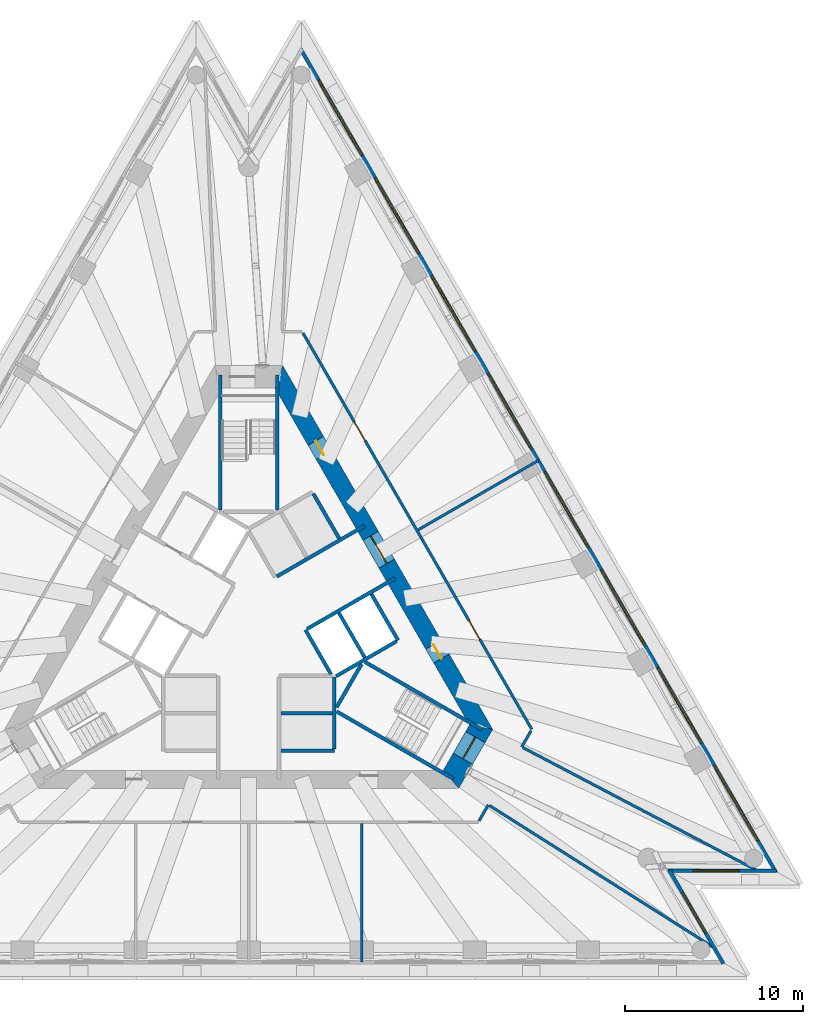
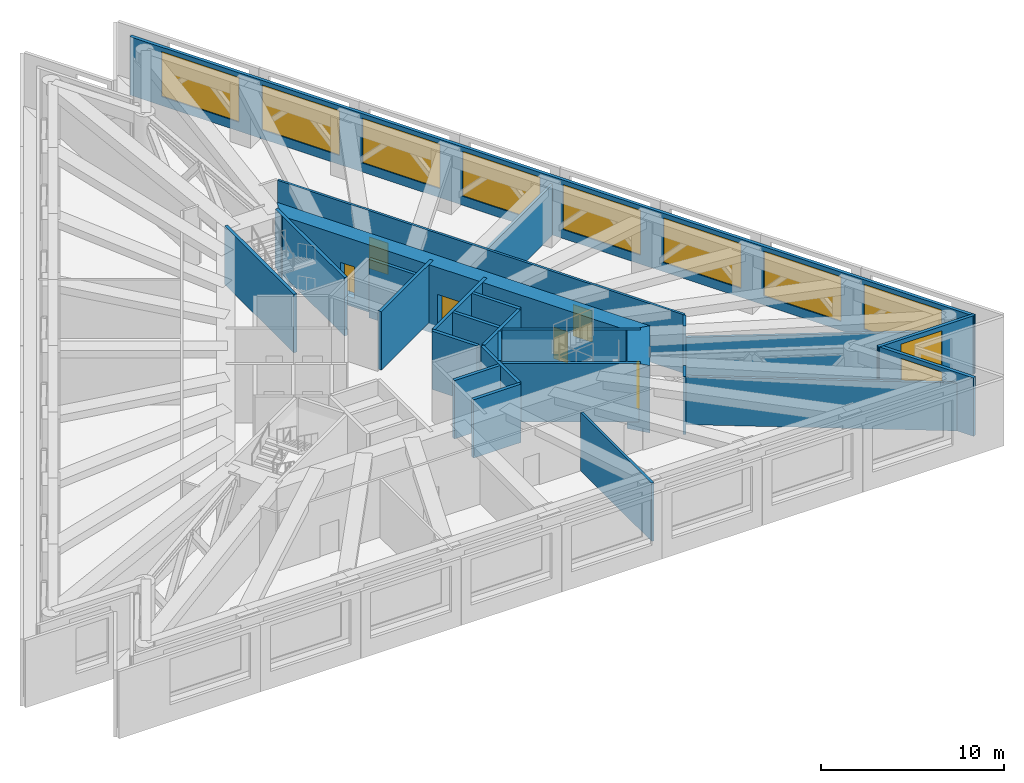
# One storey, part 8 of 12: 27 walls, 10 windows, 6 doors, 16 openings.
"""IFC4 building model written with IfcOpenShell, lengths in metres."""

from ifc_helpers import new_model, si_unit, direction, frame, frame_2d, origin, place, context, subcontext, project, spatial, polyline, rectangle, outline, extrude, material, layer, layer_set, layer_usage, type_object, element, fill, save


model = new_model("IFC4")

# Units and contexts
model_context = context("Model", 3, precision=1e-05, world=origin(), true_north=direction((0.0, 1.0)))
body_context = subcontext(model_context, "Body", "Model", "MODEL_VIEW")
ifc_project = project(units=[si_unit("LENGTHUNIT", "METRE"), si_unit("AREAUNIT", "SQUARE_METRE"), si_unit("VOLUMEUNIT", "CUBIC_METRE"), si_unit("PLANEANGLEUNIT", "RADIAN"), si_unit("MASSUNIT", "GRAM", prefix="KILO")], contexts=[model_context])

# Site, building, storey
site_placement = place(None, origin())
site = spatial("IfcSite", under=ifc_project, at=site_placement, CompositionType="ELEMENT")
building_placement = place(site_placement, origin())
building = spatial("IfcBuilding", under=site, at=building_placement, Name="Triada Interchange Tower", CompositionType="ELEMENT")
storey_placement = place(building_placement, frame((0.0, 0.0, 180.800048828125)))
storey = spatial("IfcBuildingStorey", under=building, at=storey_placement, Name="L42", CompositionType="ELEMENT", Elevation=180.800048828125)

# Walls
ifc_material_1 = material(Name="Concrete C30/37", Category="concrete")
ifc_layer_1 = layer(ifc_material_1, 0.199951171875)
ifc_layer_set_1 = layer_set([ifc_layer_1], Name="CORE WALL 200 EI 120")
wall_type_1 = type_object("IfcWallType", Name="CORE WALL 200 EI 120", PredefinedType="SOLIDWALL", material=ifc_layer_set_1)
wall_1_placement = place(storey_placement, frame((1.800048828125, -6.89990234375, 0.0), z_axis=(0.0, 0.0, 1.0), x_axis=(1.0, 0.0, 0.0)))
element("IfcWall", 1, at=wall_1_placement, inside=storey, type_object=wall_type_1, Name="Wall L42 26", PredefinedType="SOLIDWALL", context=body_context, shape_type="SweptSolid", body=[
    extrude(rectangle(XDim=3.0, YDim=0.199951171875, at=frame_2d((1.5, 0.0))), origin(), (0.0, 0.0, 1.0), 3.89990234375),
])
wall_2_placement = place(storey_placement, frame((1.800048828125, -4.800048828125, 0.0), z_axis=(0.0, 0.0, 1.0), x_axis=(1.0, 0.0, 0.0)))
element("IfcWall", 2, at=wall_2_placement, inside=storey, type_object=wall_type_1, Name="Wall L42 28", PredefinedType="SOLIDWALL", context=body_context, shape_type="SweptSolid", body=[
    extrude(rectangle(XDim=2.89990234375, YDim=0.199951171875, at=frame_2d((1.449951171875, 0.0))), origin(), (0.0, 0.0, 1.0), 3.89990234375),
])
wall_3_placement = place(storey_placement, frame((3.18994140625, -0.125, 0.0), z_axis=(0.0, 0.0, 1.0), x_axis=(0.499988658015, -0.866031951983, 0.0)))
element("IfcWall", 3, at=wall_3_placement, inside=storey, type_object=wall_type_1, Name="Wall L42 34", PredefinedType="SOLIDWALL", context=body_context, shape_type="SweptSolid", body=[
    extrude(rectangle(XDim=2.85791015625, YDim=0.199951171875, at=frame_2d((1.428955078125, 0.0))), origin(), (0.0, 0.0, 1.0), 3.89990234375),
])
wall_4_placement = place(storey_placement, frame((1.577880859375, 2.8740234375, 0.0), z_axis=(0.0, 0.0, 1.0), x_axis=(0.866053804324, 0.499950805595, 0.0)))
element("IfcWall", 4, at=wall_4_placement, inside=storey, type_object=wall_type_1, Name="Wall L42 35", PredefinedType="SOLIDWALL", context=body_context, shape_type="SweptSolid", body=[
    extrude(rectangle(XDim=5.67626953125, YDim=0.199951171875, at=frame_2d((2.838134765625, 0.0))), origin(), (0.0, 0.0, 1.0), 3.89990234375),
])
wall_5_placement = place(storey_placement, frame((4.800048828125, -6.800048828125, 0.0), z_axis=(0.0, 0.0, 1.0), x_axis=(0.0, 1.0, 0.0)))
element("IfcWall", 5, at=wall_5_placement, inside=storey, type_object=wall_type_1, Name="Wall L42 37", PredefinedType="SOLIDWALL", context=body_context, shape_type="SweptSolid", body=[
    extrude(rectangle(XDim=4.029052734375, YDim=0.199951171875, at=frame_2d((2.0146484375, 0.0))), origin(), (0.0, 0.0, 1.0), 3.89990234375),
])
wall_6_placement = place(storey_placement, frame((3.6259765625, 7.52001953125, 0.0), z_axis=(0.0, 0.0, 1.0), x_axis=(0.500060147554, -0.865990674793, 0.0)))
element("IfcWall", 6, at=wall_6_placement, inside=storey, type_object=wall_type_1, Name="Wall L42 38", PredefinedType="SOLIDWALL", context=body_context, shape_type="SweptSolid", body=[
    extrude(rectangle(XDim=2.899658203125, YDim=0.199951171875, at=frame_2d((1.44970703125, 0.0))), origin(), (0.0, 0.0, 1.0), 3.89990234375),
])
wall_7_placement = place(storey_placement, frame((6.8759765625, 1.89111328125, 0.0), z_axis=(0.0, 0.0, 1.0), x_axis=(0.499990139034, -0.866031096941, 0.0)))
element("IfcWall", 7, at=wall_7_placement, inside=storey, type_object=wall_type_1, Name="Wall L42 39", PredefinedType="SOLIDWALL", context=body_context, shape_type="SweptSolid", body=[
    extrude(rectangle(XDim=3.0, YDim=0.199951171875, at=frame_2d((1.5, 0.0))), origin(), (0.0, 0.0, 1.0), 3.89990234375),
])
wall_8_placement = place(storey_placement, frame((5.056884765625, 0.841064453125, 0.0), z_axis=(0.0, 0.0, 1.0), x_axis=(0.50012328804, -0.865954211699, 0.0)))
element("IfcWall", 8, at=wall_8_placement, inside=storey, type_object=wall_type_1, Name="Wall L42 41", PredefinedType="SOLIDWALL", context=body_context, shape_type="SweptSolid", body=[
    extrude(rectangle(XDim=2.899658203125, YDim=0.199951171875, at=frame_2d((1.44970703125, 0.0))), origin(), (0.0, 0.0, 1.0), 3.89990234375),
])
wall_9_placement = place(storey_placement, frame((3.278076171875, -0.071044921875, 0.0), z_axis=(0.0, 0.0, 1.0), x_axis=(0.865960685568, 0.50011207849, 0.0)))
element("IfcWall", 9, at=wall_9_placement, inside=storey, type_object=wall_type_1, Name="Wall L42 42", PredefinedType="SOLIDWALL", context=body_context, shape_type="SweptSolid", body=[
    extrude(rectangle(XDim=5.677001953125, YDim=0.199951171875, at=frame_2d((2.83837890625, 0.0))), origin(), (0.0, 0.0, 1.0), 3.89990234375),
])
wall_10_placement = place(storey_placement, frame((4.89990234375, -2.714111328125, 0.0), z_axis=(0.0, 0.0, 1.0), x_axis=(0.865992350556, 0.500057245502, 0.0)))
element("IfcWall", 10, at=wall_10_placement, inside=storey, type_object=wall_type_1, Name="Wall L42 43", PredefinedType="SOLIDWALL", context=body_context, shape_type="SweptSolid", body=[
    extrude(rectangle(XDim=3.91357421875, YDim=0.199951171875, at=frame_2d((1.956787109375, 0.0))), origin(), (0.0, 0.0, 1.0), 3.89990234375),
])
ifc_layer_2 = layer(ifc_material_1, 0.199951171875)
ifc_layer_set_2 = layer_set([ifc_layer_2], Name="CORE WALL 200 REI 240")
wall_type_2 = type_object("IfcWallType", Name="CORE WALL 200 REI 240", PredefinedType="SOLIDWALL", material=ifc_layer_set_2)
for number, where, z_axis, x_axis, name in (
    (11, (1.60009765625, 6.614990234375, 0.0), (0.0, 0.0, 1.0), (0.0, 1.0, 0.0), "Wall L42 62"),
    (12, (-1.60009765625, 6.614990234375, 0.0), (0.0, 0.0, 1.0), (0.0, 1.0, 0.0), "Wall L42 64"),
):
    element("IfcWall", number, at=place(storey_placement, frame(where, z_axis=z_axis, x_axis=x_axis)), inside=storey, type_object=wall_type_2, Name=name, PredefinedType="SOLIDWALL", context=body_context, shape_type="SweptSolid", body=[
        extrude(rectangle(XDim=7.56494140625, YDim=0.199951171875, at=frame_2d((3.782470703125, 0.0))), origin(), (0.0, 0.0, 1.0), 3.89990234375),
    ])
wall_11_placement = place(storey_placement, frame((4.928955078125, -4.4619140625, 0.0), z_axis=(0.0, 0.0, 1.0), x_axis=(0.500200581029, 0.865909567298, 0.0)))
element("IfcWall", 13, at=wall_11_placement, inside=storey, type_object=wall_type_2, Name="Wall L42 65", PredefinedType="SOLIDWALL", context=body_context, shape_type="SweptSolid", body=[
    extrude(rectangle(XDim=2.799072265625, YDim=0.199951171875, at=frame_2d((1.3994140625, 0.0))), origin(), (0.0, 0.0, 1.0), 3.89990234375),
])
wall_12_placement = place(storey_placement, frame((6.529052734375, -1.922119140625, 0.0), z_axis=(0.0, 0.0, 1.0), x_axis=(0.866039934834, -0.499974830638, 0.0)))
element("IfcWall", 14, at=wall_12_placement, inside=storey, type_object=wall_type_2, Name="Wall L42 66", PredefinedType="SOLIDWALL", context=body_context, shape_type="SweptSolid", body=[
    extrude(rectangle(XDim=7.564453125, YDim=0.199951171875, at=frame_2d((3.7822265625, 0.0))), origin(), (0.0, 0.0, 1.0), 3.89990234375),
])
wall_13_placement = place(storey_placement, frame((4.928955078125, -4.693115234375, 0.0), z_axis=(0.0, 0.0, 1.0), x_axis=(0.865984032653, -0.500071650056, 0.0)))
element("IfcWall", 15, at=wall_13_placement, inside=storey, type_object=wall_type_2, Name="Wall L42 67", PredefinedType="SOLIDWALL", context=body_context, shape_type="SweptSolid", body=[
    extrude(rectangle(XDim=7.56494140625, YDim=0.199951171875, at=frame_2d((3.782470703125, 0.0))), origin(), (0.0, 0.0, 1.0), 3.89990234375),
])

# Wall, openings, doors
ifc_material_2 = material(Name="Concrete C60/75", Category="concrete")
ifc_layer_3 = layer(ifc_material_2, 1.0)
ifc_layer_set_3 = layer_set([ifc_layer_3], Name="Core wall B 1000")
wall_type_3 = type_object("IfcWallType", Name="Core wall B 1000", PredefinedType="SHEAR", material=ifc_layer_set_3)
wall_14_placement = place(storey_placement, frame((13.033935546875, -5.574951171875, -0.60009765625), z_axis=(0.0, 0.0, 1.0), x_axis=(-0.500003116884, 0.866023604243, 0.0)))
wall_14 = element("IfcWall", 16, at=wall_14_placement, inside=storey, type_object=wall_type_3, Name="Core wall WB06 L42", PredefinedType="SHEAR", context=body_context, shape_type="SweptSolid", body=[
    extrude(outline(polyline([(-0.43310546875, -0.5), (1.52978515625, -0.5), (3.492919921875, -0.5), (5.4560546875, -0.5), (7.4189453125, -0.5), (9.3818359375, -0.5), (11.344970703125, -0.5), (13.30810546875, -0.5), (15.27099609375, -0.5), (17.23388671875, -0.5), (19.197021484375, -0.5), (21.16015625, -0.5), (23.123046875, -0.5), (22.257080078125, 0.5), (20.273193359375, 0.5), (18.2890625, 0.5), (16.30517578125, 0.5), (14.321044921875, 0.5), (12.337158203125, 0.5), (10.35302734375, 0.5), (8.369140625, 0.5), (6.385009765625, 0.5), (4.401123046875, 0.5), (2.4169921875, 0.5), (0.43310546875, 0.5), (-0.43310546875, -0.5)])), origin(), (0.0, 0.0, 1.0), 4.5),
])
opening_1_placement = place(wall_14_placement, frame((10.589111328125, 0.0, 0.60009765625)))
opening_1 = element("IfcOpeningElement", 17, at=opening_1_placement, cuts=wall_14, Name="Opening D42-14", PredefinedType="OPENING", context=body_context, shape_type="SweptSolid", body=[
    extrude(rectangle(XDim=1.800048828125, YDim=2.10009765625, at=frame_2d((0.89990234375, 1.050048828125))), frame((0.0, 0.510009765625, 0.0), z_axis=(0.0, -1.0, 0.0), x_axis=(1.0, 0.0, 0.0)), (0.0, 0.0, 1.0), 1.02001953125),
])
opening_2_placement = place(wall_14_placement, frame((17.634033203125, 0.0, 0.60009765625)))
opening_2 = element("IfcOpeningElement", 18, at=opening_2_placement, cuts=wall_14, Name="Opening D42-20", PredefinedType="OPENING", context=body_context, shape_type="SweptSolid", body=[
    extrude(rectangle(XDim=0.89990234375, YDim=2.10009765625, at=frame_2d((0.449951171875, 1.050048828125))), frame((0.0, 0.510009765625, 0.0), z_axis=(0.0, -1.0, 0.0), x_axis=(1.0, 0.0, 0.0)), (0.0, 0.0, 1.0), 1.02001953125),
])
opening_3_placement = place(wall_14_placement, frame((4.445068359375, 0.0, 0.60009765625)))
opening_3 = element("IfcOpeningElement", 19, at=opening_3_placement, cuts=wall_14, Name="Opening D42-22", PredefinedType="OPENING", context=body_context, shape_type="SweptSolid", body=[
    extrude(rectangle(XDim=0.89990234375, YDim=2.10009765625, at=frame_2d((0.449951171875, 1.050048828125))), frame((0.0, 0.510009765625, 0.0), z_axis=(0.0, -1.0, 0.0), x_axis=(1.0, 0.0, 0.0)), (0.0, 0.0, 1.0), 1.02001953125),
])
ifc_material_3 = material(Name="Steel S235 door leaf", Category="steel")
door_type_1 = type_object("IfcDoorType", Name="LOBBY DOOR 1800 EI2 90-C5S200", OperationType="DOUBLE_DOOR_SINGLE_SWING", PredefinedType="DOOR", material=ifc_material_3)
door_1_placement = place(opening_1_placement, origin())
door_1 = element("IfcDoor", 20, at=door_1_placement, inside=storey, type_object=door_type_1, Name="Door D42-14 L42", OperationType="DOUBLE_DOOR_SINGLE_SWING", OverallHeight=2.10009765625, OverallWidth=1.800048828125, PredefinedType="DOOR", context=body_context, shape_type="SweptSolid", body=[
    extrude(rectangle(XDim=1.800048828125, YDim=2.10009765625, at=frame_2d((0.89990234375, 1.050048828125))), frame((0.0, 0.02490234375, 0.0), z_axis=(0.0, -1.0, 0.0), x_axis=(1.0, 0.0, 0.0)), (0.0, 0.0, 1.0), 0.050048828125),
])
fill(opening_1, door_1)
door_type_2 = type_object("IfcDoorType", Name="RISER ACCESS DOOR 900 EI2 45-C5S200", OperationType="NOTDEFINED", PredefinedType="DOOR", material=ifc_material_3)
door_2_placement = place(opening_3_placement, origin())
door_2 = element("IfcDoor", 21, at=door_2_placement, inside=storey, type_object=door_type_2, Name="Door D42-22 L42", OperationType="SINGLE_SWING_LEFT", OverallHeight=2.10009765625, OverallWidth=0.89990234375, PredefinedType="DOOR", context=body_context, shape_type="SweptSolid", body=[
    extrude(rectangle(XDim=0.89990234375, YDim=2.10009765625, at=frame_2d((0.449951171875, 1.050048828125))), frame((0.0, 0.02490234375, 0.0), z_axis=(0.0, -1.0, 0.0), x_axis=(1.0, 0.0, 0.0)), (0.0, 0.0, 1.0), 0.050048828125),
])
fill(opening_3, door_2)
door_type_3 = type_object("IfcDoorType", Name="SERVICE DOOR 900 EI2 45-C5S200", OperationType="NOTDEFINED", PredefinedType="DOOR", material=ifc_material_3)
door_3_placement = place(opening_2_placement, origin())
door_3 = element("IfcDoor", 22, at=door_3_placement, inside=storey, type_object=door_type_3, Name="Door D42-20 L42", OperationType="SINGLE_SWING_LEFT", OverallHeight=2.10009765625, OverallWidth=0.89990234375, PredefinedType="DOOR", context=body_context, shape_type="SweptSolid", body=[
    extrude(rectangle(XDim=0.89990234375, YDim=2.10009765625, at=frame_2d((0.449951171875, 1.050048828125))), frame((0.0, 0.02490234375, 0.0), z_axis=(0.0, -1.0, 0.0), x_axis=(1.0, 0.0, 0.0)), (0.0, 0.0, 1.0), 0.050048828125),
])
fill(opening_2, door_3)

# Wall, opening, door
ifc_layer_4 = layer(ifc_material_2, 1.25)
ifc_layer_set_4 = layer_set([ifc_layer_4], Name="Core wall B 1250")
wall_type_4 = type_object("IfcWallType", Name="Core wall B 1250", PredefinedType="SHEAR", material=ifc_layer_set_4)
wall_15_placement = place(storey_placement, frame((11.344970703125, -8.5, -0.60009765625), z_axis=(0.0, 0.0, 1.0), x_axis=(0.500041548022, 0.866001414694, 0.0)))
wall_15 = element("IfcWall", 23, at=wall_15_placement, inside=storey, type_object=wall_type_4, Name="Core wall WB05 L42", PredefinedType="SHEAR", context=body_context, shape_type="SweptSolid", body=[
    extrude(outline(polyline([(-0.216064453125, -0.625), (1.68896484375, -0.625), (3.593994140625, -0.625), (3.160888671875, 0.625), (1.6884765625, 0.625), (0.216064453125, 0.625), (-0.216064453125, -0.625)])), origin(), (0.0, 0.0, 1.0), 4.5),
])
opening_4_placement = place(wall_15_placement, frame((1.3359375, 0.0, 0.60009765625)))
opening_4 = element("IfcOpeningElement", 24, at=opening_4_placement, cuts=wall_15, Name="Opening D42-17", PredefinedType="OPENING", context=body_context, shape_type="SweptSolid", body=[
    extrude(rectangle(XDim=1.39990234375, YDim=2.10009765625, at=frame_2d((0.699951171875, 1.050048828125))), frame((0.0, 0.635009765625, 0.0), z_axis=(0.0, -1.0, 0.0), x_axis=(1.0, 0.0, 0.0)), (0.0, 0.0, 1.0), 1.27001953125),
])
door_type_4 = type_object("IfcDoorType", Name="STAIR DOOR 1400 EI2 90-C5S200", OperationType="DOUBLE_DOOR_SINGLE_SWING", PredefinedType="DOOR", material=ifc_material_3)
door_4_placement = place(opening_4_placement, origin())
door_4 = element("IfcDoor", 25, at=door_4_placement, inside=storey, type_object=door_type_4, Name="Door D42-17 L42", OperationType="DOUBLE_DOOR_SINGLE_SWING", OverallHeight=2.10009765625, OverallWidth=1.39990234375, PredefinedType="DOOR", context=body_context, shape_type="SweptSolid", body=[
    extrude(rectangle(XDim=1.39990234375, YDim=2.10009765625, at=frame_2d((0.699951171875, 1.050048828125))), frame((0.0, 0.02490234375, 0.0), z_axis=(0.0, -1.0, 0.0), x_axis=(1.0, 0.0, 0.0)), (0.0, 0.0, 1.0), 0.050048828125),
])
fill(opening_4, door_4)

# Wall, opening, window
ifc_material_4 = material(Name="Cement board")
ifc_layer_5 = layer(ifc_material_4, 0.02001953125, Name="Cement board cladding")
ifc_material_5 = material(Name="Sheathing board")
ifc_layer_6 = layer(ifc_material_5, 0.014892578125, Name="Sheathing board")
ifc_material_6 = material(Name="Mineral wool")
ifc_layer_7 = layer(ifc_material_6, 0.14990234375, Name="Mineral wool between steel studs")
ifc_material_7 = material(Name="Gypsum board")
ifc_layer_8 = layer(ifc_material_7, 0.014892578125, Name="Plasterboard lining")
ifc_layer_set_5 = layer_set([ifc_layer_5, ifc_layer_6, ifc_layer_7, ifc_layer_8], Name="External wall 200")
ifc_layer_usage = layer_usage(ifc_layer_set_5, "AXIS2", "POSITIVE", -0.10009765625)
wall_type_5 = type_object("IfcWallType", Name="External wall 200", PredefinedType="ELEMENTEDWALL", material=ifc_layer_set_5)
wall_16_placement = place(storey_placement, frame((26.614990234375, -18.8291015625, 0.0), z_axis=(0.0, 0.0, 1.0), x_axis=(-0.499916304465, 0.866073720032, 0.0)))
wall_16 = element("IfcWall", 26, at=wall_16_placement, inside=storey, type_object=wall_type_5, material=ifc_layer_usage, Name="External wall L42 SE-1", PredefinedType="ELEMENTEDWALL", context=body_context, shape_type="SweptSolid", body=[
    extrude(rectangle(XDim=6.06884765625, YDim=0.199951171875, at=frame_2d((3.034423828125, 0.0))), origin(), (0.0, 0.0, 1.0), 3.89990234375),
])
opening_5_placement = place(wall_16_placement, frame((1.989990234375, 0.0, 0.60009765625)))
opening_5 = element("IfcOpeningElement", 27, at=opening_5_placement, cuts=wall_16, Name="Opening LB19", PredefinedType="OPENING", context=body_context, shape_type="SweptSolid", body=[
    extrude(rectangle(XDim=2.60009765625, YDim=3.0, at=frame_2d((1.300048828125, 1.5))), frame((0.0, 0.10986328125, 0.0), z_axis=(0.0, -1.0, 0.0), x_axis=(1.0, 0.0, 0.0)), (0.0, 0.0, 1.0), 0.219970703125),
])
ifc_material_8 = material(Name="Aluminium louvre", Category="aluminium")
window_type_1 = type_object("IfcWindowType", Name="Plant louvre B pocket", PartitioningType="SINGLE_PANEL", PredefinedType="WINDOW", material=ifc_material_8)
window_1_placement = place(opening_5_placement, origin())
window_1 = element("IfcWindow", 28, at=window_1_placement, inside=storey, type_object=window_type_1, Name="Louvre L42 SE-1 1", OverallHeight=3.0, OverallWidth=2.60009765625, PartitioningType="SINGLE_PANEL", PredefinedType="WINDOW", context=body_context, shape_type="SweptSolid", body=[
    extrude(rectangle(XDim=2.60009765625, YDim=3.0, at=frame_2d((1.300048828125, 1.5))), frame((0.0, 0.030029296875, 0.0), z_axis=(0.0, -1.0, 0.0), x_axis=(1.0, 0.0, 0.0)), (0.0, 0.0, 1.0), 0.06005859375),
])
fill(opening_5, window_1)

wall_17_placement = place(storey_placement, frame((23.52587890625, -13.634033203125, 0.0), z_axis=(0.0, 0.0, 1.0), x_axis=(1.0, 0.0, 0.0)))
wall_17 = element("IfcWall", 29, at=wall_17_placement, inside=storey, type_object=wall_type_5, material=ifc_layer_usage, Name="External wall L42 SE-2", PredefinedType="ELEMENTEDWALL", context=body_context, shape_type="SweptSolid", body=[
    extrude(rectangle(XDim=6.068115234375, YDim=0.199951171875, at=frame_2d((3.0341796875, 0.0))), origin(), (0.0, 0.0, 1.0), 3.89990234375),
])
opening_6_placement = place(wall_17_placement, frame((1.389892578125, 0.0, 0.60009765625)))
opening_6 = element("IfcOpeningElement", 30, at=opening_6_placement, cuts=wall_17, Name="Opening LB20", PredefinedType="OPENING", context=body_context, shape_type="SweptSolid", body=[
    extrude(rectangle(XDim=2.60009765625, YDim=3.0, at=frame_2d((1.300048828125, 1.5))), frame((0.0, 0.10986328125, 0.0), z_axis=(0.0, -1.0, 0.0), x_axis=(1.0, 0.0, 0.0)), (0.0, 0.0, 1.0), 0.219970703125),
])
window_2_placement = place(opening_6_placement, origin())
window_2 = element("IfcWindow", 31, at=window_2_placement, inside=storey, type_object=window_type_1, Name="Louvre L42 SE-2 1", OverallHeight=3.0, OverallWidth=2.60009765625, PartitioningType="SINGLE_PANEL", PredefinedType="WINDOW", context=body_context, shape_type="SweptSolid", body=[
    extrude(rectangle(XDim=2.60009765625, YDim=3.0, at=frame_2d((1.300048828125, 1.5))), frame((0.0, 0.030029296875, 0.0), z_axis=(0.0, -1.0, 0.0), x_axis=(1.0, 0.0, 0.0)), (0.0, 0.0, 1.0), 0.06005859375),
])
fill(opening_6, window_2)

# Wall, openings, windows
wall_18_placement = place(storey_placement, frame((29.569091796875, -13.7119140625, 0.0), z_axis=(0.0, 0.0, 1.0), x_axis=(-0.500011769953, 0.866018608292, 0.0)))
wall_18 = element("IfcWall", 32, at=wall_18_placement, inside=storey, type_object=wall_type_5, material=ifc_layer_usage, Name="External wall L42 NE", PredefinedType="ELEMENTEDWALL", context=body_context, shape_type="SweptSolid", body=[
    extrude(rectangle(XDim=53.299072265625, YDim=0.199951171875, at=frame_2d((26.6494140625, 0.0))), origin(), (0.0, 0.0, 1.0), 3.89990234375),
])
opening_7_placement = place(wall_18_placement, frame((2.02197265625, 0.0, 0.60009765625)))
opening_7 = element("IfcOpeningElement", 33, at=opening_7_placement, cuts=wall_18, Name="Opening LB21", PredefinedType="OPENING", context=body_context, shape_type="SweptSolid", body=[
    extrude(rectangle(XDim=4.89990234375, YDim=3.0, at=frame_2d((2.449951171875, 1.5))), frame((0.0, 0.10986328125, 0.0), z_axis=(0.0, -1.0, 0.0), x_axis=(1.0, 0.0, 0.0)), (0.0, 0.0, 1.0), 0.219970703125),
])
opening_8_placement = place(wall_18_placement, frame((8.361083984375, 0.0, 0.60009765625)))
opening_8 = element("IfcOpeningElement", 34, at=opening_8_placement, cuts=wall_18, Name="Opening LB22", PredefinedType="OPENING", context=body_context, shape_type="SweptSolid", body=[
    extrude(rectangle(XDim=4.89990234375, YDim=3.0, at=frame_2d((2.449951171875, 1.5))), frame((0.0, 0.10986328125, 0.0), z_axis=(0.0, -1.0, 0.0), x_axis=(1.0, 0.0, 0.0)), (0.0, 0.0, 1.0), 0.219970703125),
])
opening_9_placement = place(wall_18_placement, frame((14.700927734375, 0.0, 0.60009765625)))
opening_9 = element("IfcOpeningElement", 35, at=opening_9_placement, cuts=wall_18, Name="Opening LB23", PredefinedType="OPENING", context=body_context, shape_type="SweptSolid", body=[
    extrude(rectangle(XDim=4.89990234375, YDim=3.0, at=frame_2d((2.449951171875, 1.5))), frame((0.0, 0.10986328125, 0.0), z_axis=(0.0, -1.0, 0.0), x_axis=(1.0, 0.0, 0.0)), (0.0, 0.0, 1.0), 0.219970703125),
])
opening_10_placement = place(wall_18_placement, frame((21.0400390625, 0.0, 0.60009765625)))
opening_10 = element("IfcOpeningElement", 36, at=opening_10_placement, cuts=wall_18, Name="Opening LB24", PredefinedType="OPENING", context=body_context, shape_type="SweptSolid", body=[
    extrude(rectangle(XDim=4.89990234375, YDim=3.0, at=frame_2d((2.449951171875, 1.5))), frame((0.0, 0.10986328125, 0.0), z_axis=(0.0, -1.0, 0.0), x_axis=(1.0, 0.0, 0.0)), (0.0, 0.0, 1.0), 0.219970703125),
])
opening_11_placement = place(wall_18_placement, frame((27.37890625, 0.0, 0.60009765625)))
opening_11 = element("IfcOpeningElement", 37, at=opening_11_placement, cuts=wall_18, Name="Opening LB25", PredefinedType="OPENING", context=body_context, shape_type="SweptSolid", body=[
    extrude(rectangle(XDim=4.89990234375, YDim=3.0, at=frame_2d((2.449951171875, 1.5))), frame((0.0, 0.10986328125, 0.0), z_axis=(0.0, -1.0, 0.0), x_axis=(1.0, 0.0, 0.0)), (0.0, 0.0, 1.0), 0.219970703125),
])
opening_12_placement = place(wall_18_placement, frame((33.718017578125, 0.0, 0.60009765625)))
opening_12 = element("IfcOpeningElement", 38, at=opening_12_placement, cuts=wall_18, Name="Opening LB26", PredefinedType="OPENING", context=body_context, shape_type="SweptSolid", body=[
    extrude(rectangle(XDim=4.89990234375, YDim=3.0, at=frame_2d((2.449951171875, 1.5))), frame((0.0, 0.10986328125, 0.0), z_axis=(0.0, -1.0, 0.0), x_axis=(1.0, 0.0, 0.0)), (0.0, 0.0, 1.0), 0.219970703125),
])
opening_13_placement = place(wall_18_placement, frame((40.056884765625, 0.0, 0.60009765625)))
opening_13 = element("IfcOpeningElement", 39, at=opening_13_placement, cuts=wall_18, Name="Opening LB27", PredefinedType="OPENING", context=body_context, shape_type="SweptSolid", body=[
    extrude(rectangle(XDim=4.89990234375, YDim=3.0, at=frame_2d((2.449951171875, 1.5))), frame((0.0, 0.10986328125, 0.0), z_axis=(0.0, -1.0, 0.0), x_axis=(1.0, 0.0, 0.0)), (0.0, 0.0, 1.0), 0.219970703125),
])
opening_14_placement = place(wall_18_placement, frame((46.39697265625, 0.0, 0.60009765625)))
opening_14 = element("IfcOpeningElement", 40, at=opening_14_placement, cuts=wall_18, Name="Opening LB28", PredefinedType="OPENING", context=body_context, shape_type="SweptSolid", body=[
    extrude(rectangle(XDim=4.89990234375, YDim=3.0, at=frame_2d((2.449951171875, 1.5))), frame((0.0, 0.10986328125, 0.0), z_axis=(0.0, -1.0, 0.0), x_axis=(1.0, 0.0, 0.0)), (0.0, 0.0, 1.0), 0.219970703125),
])
window_type_2 = type_object("IfcWindowType", Name="Plant louvre B face", PartitioningType="SINGLE_PANEL", PredefinedType="WINDOW", material=ifc_material_8)
window_3_placement = place(opening_7_placement, origin())
window_3 = element("IfcWindow", 41, at=window_3_placement, inside=storey, type_object=window_type_2, Name="Louvre L42 NE 1", OverallHeight=3.0, OverallWidth=4.89990234375, PartitioningType="SINGLE_PANEL", PredefinedType="WINDOW", context=body_context, shape_type="SweptSolid", body=[
    extrude(rectangle(XDim=4.89990234375, YDim=3.0, at=frame_2d((2.449951171875, 1.5))), frame((0.0, 0.030029296875, 0.0), z_axis=(0.0, -1.0, 0.0), x_axis=(1.0, 0.0, 0.0)), (0.0, 0.0, 1.0), 0.06005859375),
])
fill(opening_7, window_3)
window_4_placement = place(opening_8_placement, origin())
window_4 = element("IfcWindow", 42, at=window_4_placement, inside=storey, type_object=window_type_2, Name="Louvre L42 NE 2", OverallHeight=3.0, OverallWidth=4.89990234375, PartitioningType="SINGLE_PANEL", PredefinedType="WINDOW", context=body_context, shape_type="SweptSolid", body=[
    extrude(rectangle(XDim=4.89990234375, YDim=3.0, at=frame_2d((2.449951171875, 1.5))), frame((0.0, 0.030029296875, 0.0), z_axis=(0.0, -1.0, 0.0), x_axis=(1.0, 0.0, 0.0)), (0.0, 0.0, 1.0), 0.06005859375),
])
fill(opening_8, window_4)
window_5_placement = place(opening_9_placement, origin())
window_5 = element("IfcWindow", 43, at=window_5_placement, inside=storey, type_object=window_type_2, Name="Louvre L42 NE 3", OverallHeight=3.0, OverallWidth=4.89990234375, PartitioningType="SINGLE_PANEL", PredefinedType="WINDOW", context=body_context, shape_type="SweptSolid", body=[
    extrude(rectangle(XDim=4.89990234375, YDim=3.0, at=frame_2d((2.449951171875, 1.5))), frame((0.0, 0.030029296875, 0.0), z_axis=(0.0, -1.0, 0.0), x_axis=(1.0, 0.0, 0.0)), (0.0, 0.0, 1.0), 0.06005859375),
])
fill(opening_9, window_5)
window_6_placement = place(opening_10_placement, origin())
window_6 = element("IfcWindow", 44, at=window_6_placement, inside=storey, type_object=window_type_2, Name="Louvre L42 NE 4", OverallHeight=3.0, OverallWidth=4.89990234375, PartitioningType="SINGLE_PANEL", PredefinedType="WINDOW", context=body_context, shape_type="SweptSolid", body=[
    extrude(rectangle(XDim=4.89990234375, YDim=3.0, at=frame_2d((2.449951171875, 1.5))), frame((0.0, 0.030029296875, 0.0), z_axis=(0.0, -1.0, 0.0), x_axis=(1.0, 0.0, 0.0)), (0.0, 0.0, 1.0), 0.06005859375),
])
fill(opening_10, window_6)
window_7_placement = place(opening_11_placement, origin())
window_7 = element("IfcWindow", 45, at=window_7_placement, inside=storey, type_object=window_type_2, Name="Louvre L42 NE 5", OverallHeight=3.0, OverallWidth=4.89990234375, PartitioningType="SINGLE_PANEL", PredefinedType="WINDOW", context=body_context, shape_type="SweptSolid", body=[
    extrude(rectangle(XDim=4.89990234375, YDim=3.0, at=frame_2d((2.449951171875, 1.5))), frame((0.0, 0.030029296875, 0.0), z_axis=(0.0, -1.0, 0.0), x_axis=(1.0, 0.0, 0.0)), (0.0, 0.0, 1.0), 0.06005859375),
])
fill(opening_11, window_7)
window_8_placement = place(opening_12_placement, origin())
window_8 = element("IfcWindow", 46, at=window_8_placement, inside=storey, type_object=window_type_2, Name="Louvre L42 NE 6", OverallHeight=3.0, OverallWidth=4.89990234375, PartitioningType="SINGLE_PANEL", PredefinedType="WINDOW", context=body_context, shape_type="SweptSolid", body=[
    extrude(rectangle(XDim=4.89990234375, YDim=3.0, at=frame_2d((2.449951171875, 1.5))), frame((0.0, 0.030029296875, 0.0), z_axis=(0.0, -1.0, 0.0), x_axis=(1.0, 0.0, 0.0)), (0.0, 0.0, 1.0), 0.06005859375),
])
fill(opening_12, window_8)
window_9_placement = place(opening_13_placement, origin())
window_9 = element("IfcWindow", 47, at=window_9_placement, inside=storey, type_object=window_type_2, Name="Louvre L42 NE 7", OverallHeight=3.0, OverallWidth=4.89990234375, PartitioningType="SINGLE_PANEL", PredefinedType="WINDOW", context=body_context, shape_type="SweptSolid", body=[
    extrude(rectangle(XDim=4.89990234375, YDim=3.0, at=frame_2d((2.449951171875, 1.5))), frame((0.0, 0.030029296875, 0.0), z_axis=(0.0, -1.0, 0.0), x_axis=(1.0, 0.0, 0.0)), (0.0, 0.0, 1.0), 0.06005859375),
])
fill(opening_13, window_9)
window_10_placement = place(opening_14_placement, origin())
window_10 = element("IfcWindow", 48, at=window_10_placement, inside=storey, type_object=window_type_2, Name="Louvre L42 NE 8", OverallHeight=3.0, OverallWidth=4.89990234375, PartitioningType="SINGLE_PANEL", PredefinedType="WINDOW", context=body_context, shape_type="SweptSolid", body=[
    extrude(rectangle(XDim=4.89990234375, YDim=3.0, at=frame_2d((2.449951171875, 1.5))), frame((0.0, 0.030029296875, 0.0), z_axis=(0.0, -1.0, 0.0), x_axis=(1.0, 0.0, 0.0)), (0.0, 0.0, 1.0), 0.06005859375),
])
fill(opening_14, window_10)

# Wall, openings, doors
ifc_material_9 = material(Name="Gypsum board partition")
ifc_layer_9 = layer(ifc_material_9, 0.14990234375)
ifc_layer_set_6 = layer_set([ifc_layer_9], Name="PARTITION 150 EI 180")
wall_type_6 = type_object("IfcWallType", Name="PARTITION 150 EI 180", PredefinedType="PARTITIONING", material=ifc_layer_set_6)
wall_19_placement = place(storey_placement, frame((3.0458984375, 16.52490234375, 0.0), z_axis=(0.0, 0.0, 1.0), x_axis=(0.499986250302, -0.866033342031, 0.0)))
wall_19 = element("IfcWall", 49, at=wall_19_placement, inside=storey, type_object=wall_type_6, Name="Wall L42 14", PredefinedType="PARTITIONING", context=body_context, shape_type="SweptSolid", body=[
    extrude(rectangle(XDim=25.662841796875, YDim=0.14990234375, at=frame_2d((12.83154296875, 0.0))), origin(), (0.0, 0.0, 1.0), 3.89990234375),
])
opening_15_placement = place(wall_19_placement, frame((18.625, 0.0, 0.0)))
opening_15 = element("IfcOpeningElement", 50, at=opening_15_placement, cuts=wall_19, Name="Opening D42-05", PredefinedType="OPENING", context=body_context, shape_type="SweptSolid", body=[
    extrude(rectangle(XDim=1.199951171875, YDim=2.10009765625, at=frame_2d((0.60009765625, 1.050048828125))), frame((0.0, 0.0849609375, 0.0), z_axis=(0.0, -1.0, 0.0), x_axis=(1.0, 0.0, 0.0)), (0.0, 0.0, 1.0), 0.169921875),
])
opening_16_placement = place(wall_19_placement, frame((5.75, 0.0, 0.0)))
opening_16 = element("IfcOpeningElement", 51, at=opening_16_placement, cuts=wall_19, Name="Opening D42-06", PredefinedType="OPENING", context=body_context, shape_type="SweptSolid", body=[
    extrude(rectangle(XDim=1.199951171875, YDim=2.10009765625, at=frame_2d((0.60009765625, 1.050048828125))), frame((0.0, 0.0849609375, 0.0), z_axis=(0.0, -1.0, 0.0), x_axis=(1.0, 0.0, 0.0)), (0.0, 0.0, 1.0), 0.169921875),
])
door_type_5 = type_object("IfcDoorType", Name="DOUBLE ROOM DOOR 1200 EI2 45-C5S200", OperationType="DOUBLE_DOOR_SINGLE_SWING", PredefinedType="DOOR", material=ifc_material_3)
door_5_placement = place(opening_15_placement, origin())
door_5 = element("IfcDoor", 52, at=door_5_placement, inside=storey, type_object=door_type_5, Name="Door D42-05 L42", OperationType="DOUBLE_DOOR_SINGLE_SWING", OverallHeight=2.10009765625, OverallWidth=1.199951171875, PredefinedType="DOOR", context=body_context, shape_type="SweptSolid", body=[
    extrude(rectangle(XDim=1.199951171875, YDim=2.10009765625, at=frame_2d((0.60009765625, 1.050048828125))), frame((0.0, 0.02490234375, 0.0), z_axis=(0.0, -1.0, 0.0), x_axis=(1.0, 0.0, 0.0)), (0.0, 0.0, 1.0), 0.050048828125),
])
fill(opening_15, door_5)
door_6_placement = place(opening_16_placement, origin())
door_6 = element("IfcDoor", 53, at=door_6_placement, inside=storey, type_object=door_type_5, Name="Door D42-06 L42", OperationType="DOUBLE_DOOR_SINGLE_SWING", OverallHeight=2.10009765625, OverallWidth=1.199951171875, PredefinedType="DOOR", context=body_context, shape_type="SweptSolid", body=[
    extrude(rectangle(XDim=1.199951171875, YDim=2.10009765625, at=frame_2d((0.60009765625, 1.050048828125))), frame((0.0, 0.02490234375, 0.0), z_axis=(0.0, -1.0, 0.0), x_axis=(1.0, 0.0, 0.0)), (0.0, 0.0, 1.0), 0.050048828125),
])
fill(opening_16, door_6)

# Walls
wall_20_placement = place(storey_placement, frame((6.339111328125, -18.7509765625, 0.0), z_axis=(0.0, 0.0, 1.0), x_axis=(0.0, 1.0, 0.0)))
element("IfcWall", 54, at=wall_20_placement, inside=storey, type_object=wall_type_6, Name="Wall L42 16", PredefinedType="PARTITIONING", context=body_context, shape_type="SweptSolid", body=[
    extrude(rectangle(XDim=7.77587890625, YDim=0.14990234375, at=frame_2d((3.887939453125, 0.0))), origin(), (0.0, 0.0, 1.0), 3.89990234375),
])
wall_21_placement = place(storey_placement, frame((12.91796875, -10.824951171875, 0.0), z_axis=(0.0, 0.0, 1.0), x_axis=(0.500442301859, 0.865769890046, 0.0)))
element("IfcWall", 55, at=wall_21_placement, inside=storey, type_object=wall_type_6, Name="Wall L42 17", PredefinedType="PARTITIONING", context=body_context, shape_type="SweptSolid", body=[
    extrude(rectangle(XDim=1.037109375, YDim=0.14990234375, at=frame_2d((0.5185546875, 0.0))), origin(), (0.0, 0.0, 1.0), 3.89990234375),
])
wall_22_placement = place(storey_placement, frame((15.30908203125, -6.68408203125, 0.0), z_axis=(0.0, 0.0, 1.0), x_axis=(0.499990860175, 0.866030680601, 0.0)))
element("IfcWall", 56, at=wall_22_placement, inside=storey, type_object=wall_type_6, Name="Wall L42 18", PredefinedType="PARTITIONING", context=body_context, shape_type="SweptSolid", body=[
    extrude(rectangle(XDim=1.0498046875, YDim=0.14990234375, at=frame_2d((0.52490234375, 0.0))), origin(), (0.0, 0.0, 1.0), 3.89990234375),
])
wall_23_placement = place(storey_placement, frame((13.5, -9.967041015625, 0.0), z_axis=(0.0, 0.0, 1.0), x_axis=(0.844863939608, -0.534981236634, 0.0)))
element("IfcWall", 57, at=wall_23_placement, inside=storey, type_object=wall_type_6, Name="Wall L42 19", PredefinedType="PARTITIONING", context=body_context, shape_type="SweptSolid", body=[
    extrude(rectangle(XDim=14.921875, YDim=0.14990234375, at=frame_2d((7.4609375, 0.0))), origin(), (0.0, 0.0, 1.0), 3.199951171875),
])
wall_24_placement = place(storey_placement, frame((9.50390625, 5.488037109375, 0.0), z_axis=(0.0, 0.0, 1.0), x_axis=(0.8660261172, 0.499998764326, 0.0)))
element("IfcWall", 58, at=wall_24_placement, inside=storey, type_object=wall_type_6, Name="Wall L42 20", PredefinedType="PARTITIONING", context=body_context, shape_type="SweptSolid", body=[
    extrude(rectangle(XDim=7.77587890625, YDim=0.14990234375, at=frame_2d((3.887939453125, 0.0))), origin(), (0.0, 0.0, 1.0), 3.39990234375),
])
wall_25_placement = place(storey_placement, frame((15.375, -6.718994140625, 0.0), z_axis=(0.0, 0.0, 1.0), x_axis=(0.885374935021, -0.464877644586, 0.0)))
element("IfcWall", 59, at=wall_25_placement, inside=storey, type_object=wall_type_6, Name="Wall L42 21", PredefinedType="PARTITIONING", context=body_context, shape_type="SweptSolid", body=[
    extrude(rectangle(XDim=14.875, YDim=0.14990234375, at=frame_2d((7.4375, 0.0))), origin(), (0.0, 0.0, 1.0), 3.199951171875),
])

save(model, "model.ifc")
